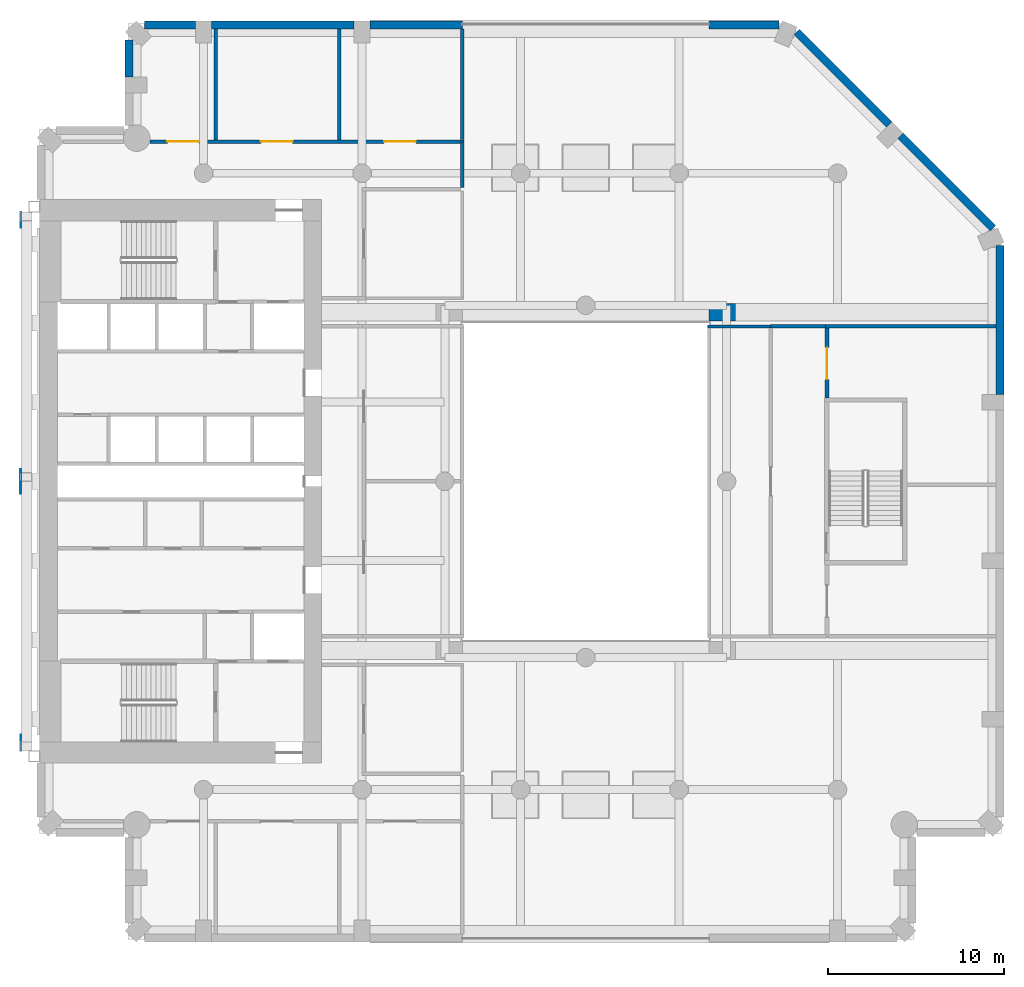
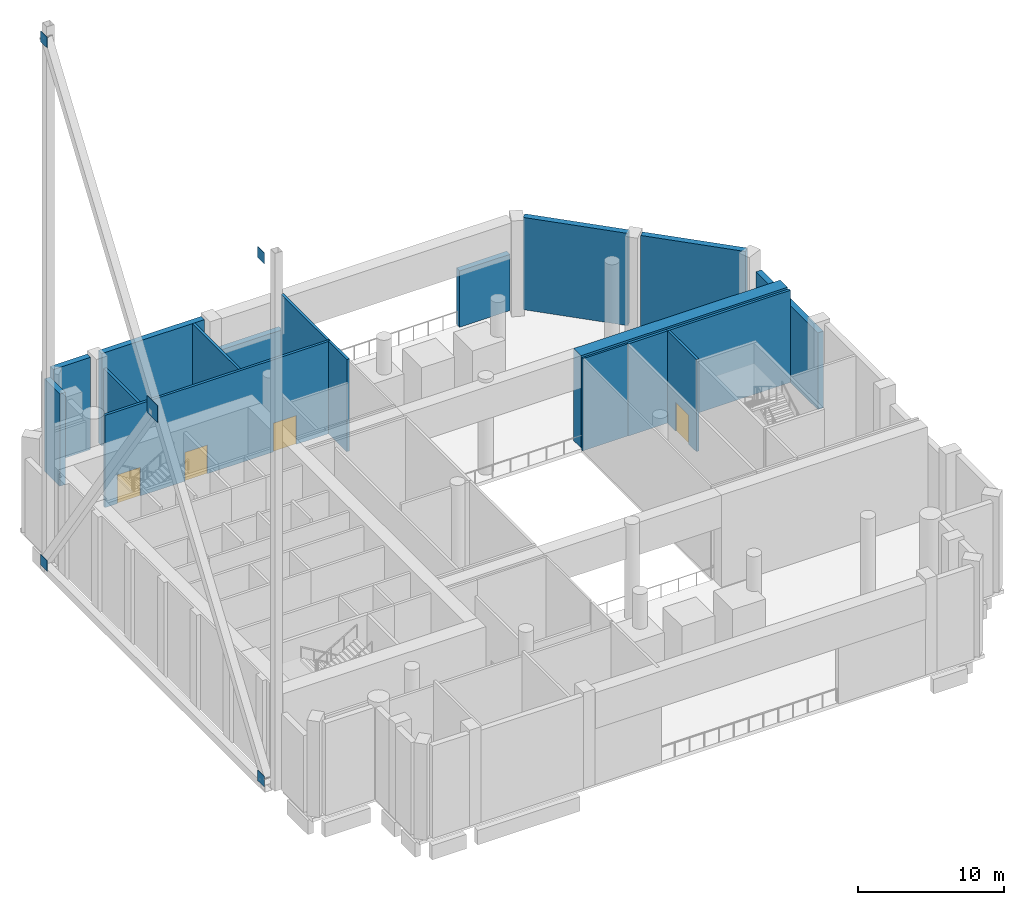
# One storey, part 5 of 14: 18 walls, 5 discrete accessories, 4 doors, 4 openings.
"""IFC4 building model written with IfcOpenShell, lengths in metres."""

import ifcopenshell
import ifcopenshell.guid

model = None  # the IFC model being written
_history = None  # IfcOwnerHistory: only IFC2X3 demands one
_inside = {}  # id of a spatial element -> (the spatial element, [elements in it])
_under = {}  # id of a project, library or spatial element -> (it, [spatial elements below it])
_declared = {}  # id of a project -> (the project, [libraries it declares])
_typed = {}  # id of a type object -> (the type object, [elements of that type])
_made_of = {}  # id of a material, layer set ... -> (it, [elements and type objects made of it])


def new_model(schema):
    """Start an empty IFC model of exactly this schema.

    Asked for "IFC4X3", IfcOpenShell would pick the latest addendum, in which some entities
    have other attributes; the version numbers below select the first issue.
    IFC2X3 requires an IfcOwnerHistory on every rooted entity: one is made here for all.
    """
    global model, _history
    if schema == "IFC4X3":
        model = ifcopenshell.file(schema_version=(4, 3, 0, 0))
    else:
        model = ifcopenshell.file(schema=schema)
    _inside.clear()
    _under.clear()
    _declared.clear()
    _typed.clear()
    _made_of.clear()
    _history = None
    if model.schema == "IFC2X3":
        org = make("IfcOrganization", Name="unknown")
        user = make(
            "IfcPersonAndOrganization",
            ThePerson=make("IfcPerson", FamilyName="unknown"),
            TheOrganization=org,
        )
        app = make(
            "IfcApplication",
            ApplicationDeveloper=org,
            Version="unknown",
            ApplicationFullName="unknown",
            ApplicationIdentifier="unknown",
        )
        _history = make(
            "IfcOwnerHistory",
            OwningUser=user,
            OwningApplication=app,
            ChangeAction="ADDED",
            CreationDate=0,
        )
    return model


def make(cls, **values):
    """One entity of the class cls with the attributes given. An attribute that is None is left unset."""
    return model.create_entity(
        cls, **{name: value for name, value in values.items() if value is not None}
    )


def rooted(cls, **values):
    """An entity with a GlobalId (a new one), such as an element, a storey or a relation."""
    return make(cls, GlobalId=ifcopenshell.guid.new(), OwnerHistory=_history, **values)


def si_unit(unit_type, name, prefix=None):
    """IfcSIUnit, for example si_unit("LENGTHUNIT", "METRE", prefix="MILLI")."""
    return make("IfcSIUnit", UnitType=unit_type, Prefix=prefix, Name=name)


def assignment(units):
    """IfcUnitAssignment: the units of a project."""
    return None if units is None else make("IfcUnitAssignment", Units=units)


def point(xyz):
    """IfcCartesianPoint."""
    return None if xyz is None else make("IfcCartesianPoint", Coordinates=xyz)


def direction(xyz):
    """IfcDirection."""
    return None if xyz is None else make("IfcDirection", DirectionRatios=xyz)


def frame(location, z_axis=None, x_axis=None):
    """IfcAxis2Placement3D, a coordinate frame: its origin and axes. An axis left out is left unset."""
    return make(
        "IfcAxis2Placement3D",
        Location=point(location),
        Axis=direction(z_axis),
        RefDirection=direction(x_axis),
    )


def frame_2d(location, x_axis=None):
    """IfcAxis2Placement2D, a coordinate frame in the plane: its origin and x axis."""
    return make(
        "IfcAxis2Placement2D", Location=point(location), RefDirection=direction(x_axis)
    )


def origin():
    """The frame at (0, 0, 0) with its axes left unset."""
    return frame((0.0, 0.0, 0.0))


def origin_2d():
    """The frame at (0, 0) in the plane with its x axis left unset."""
    return frame_2d((0.0, 0.0))


def place(relative_to, where):
    """IfcLocalPlacement: puts the frame where relative to a parent placement (None: the world)."""
    return make(
        "IfcLocalPlacement", PlacementRelTo=relative_to, RelativePlacement=where
    )


def context(
    kind, dimensions, precision=None, world=None, true_north=None, identifier=None
):
    """IfcGeometricRepresentationContext, for example the 3D "Model" context."""
    return make(
        "IfcGeometricRepresentationContext",
        ContextIdentifier=identifier,
        ContextType=kind,
        CoordinateSpaceDimension=dimensions,
        Precision=precision,
        WorldCoordinateSystem=world,
        TrueNorth=true_north,
    )


def subcontext(parent, identifier, kind, view, scale=None):
    """IfcGeometricRepresentationSubContext, for example "Body" below "Model"."""
    return make(
        "IfcGeometricRepresentationSubContext",
        ContextIdentifier=identifier,
        ContextType=kind,
        ParentContext=parent,
        TargetScale=scale,
        TargetView=view,
    )


def project(units=None, contexts=None):
    """IfcProject with its units and contexts."""
    return rooted(
        "IfcProject",
        Name="project",
        RepresentationContexts=contexts,
        UnitsInContext=assignment(units),
    )


def spatial(cls, under=None, at=None, **own):
    """A site, building, storey or space (cls), placed at a placement, below another one or the project."""
    s = rooted(cls, ObjectPlacement=at, **own)
    if under is not None:
        _under.setdefault(under.id(), (under, []))[1].append(s)
    return s


def profile(cls, at=None, kind="AREA", **sizes):
    """A parametric profile (cls). Its sizes go by their IFC names, for example OverallWidth=200.0."""
    return make(cls, ProfileType=kind, Position=at, **sizes)


def rectangle(**sizes):
    """IfcRectangleProfileDef."""
    return profile("IfcRectangleProfileDef", **sizes)


def extrude(swept, where, along, depth):
    """IfcExtrudedAreaSolid: the profile swept, set in the frame where, extruded along a direction by depth."""
    return make(
        "IfcExtrudedAreaSolid",
        SweptArea=swept,
        Position=where,
        ExtrudedDirection=direction(along),
        Depth=depth,
    )


def shape(context_of_items, identifier, shape_type, items):
    """IfcShapeRepresentation: the items that make up one representation, for example the "Body"."""
    return make(
        "IfcShapeRepresentation",
        ContextOfItems=context_of_items,
        RepresentationIdentifier=identifier,
        RepresentationType=shape_type,
        Items=items,
    )


def material(Name=None, Category=None):
    """IfcMaterial."""
    return make("IfcMaterial", Name=Name, Category=Category)


def layer(
    of_material, thickness, ventilated=None, Name=None, Category=None, Priority=None
):
    """IfcMaterialLayer: one layer of a wall or slab, of a material (None: an air gap)."""
    return make(
        "IfcMaterialLayer",
        Material=of_material,
        LayerThickness=thickness,
        IsVentilated=ventilated,
        Name=Name,
        Category=Category,
        Priority=Priority,
    )


def layer_set(layers, Name=None):
    """IfcMaterialLayerSet."""
    return make("IfcMaterialLayerSet", MaterialLayers=layers, LayerSetName=Name)


def material_profile(
    of_material, cross_section, Name=None, Category=None, Priority=None
):
    """IfcMaterialProfile: a cross section and its material."""
    return make(
        "IfcMaterialProfile",
        Name=Name,
        Material=of_material,
        Profile=cross_section,
        Priority=Priority,
        Category=Category,
    )


def profile_set(profiles, Name=None, composite=None):
    """IfcMaterialProfileSet."""
    return make(
        "IfcMaterialProfileSet",
        Name=Name,
        MaterialProfiles=profiles,
        CompositeProfile=composite,
    )


def made_of(thing, what):
    """Note that an element or type object is made of a material, layer set ...; save() writes the relation."""
    if what is not None:
        _made_of.setdefault(what.id(), (what, []))[1].append(thing)
    return thing


def type_object(cls, material=None, **own):
    """A type object (cls), such as IfcWallType, which elements share."""
    return made_of(rooted(cls, **own), material)


def element(
    cls,
    number,
    at=None,
    inside=None,
    cuts=None,
    type_object=None,
    material=None,
    context=None,
    identifier="Body",
    shape_type=None,
    held_by="IfcProductDefinitionShape",
    body=None,
    shapes=None,
    **own,
):
    """One element of the class cls, such as IfcWall. Its Tag is "e" and its number.

    at: its placement. inside: the storey or other place that contains it. cuts: it is an
    opening in that element (IfcRelVoidsElement). A single representation is given by context,
    identifier, shape_type and body (its items); several are given by shapes. held_by: the class
    of the entity that holds the representations. save() writes the other relations.
    """
    e = rooted(cls, Tag="e%d" % number, ObjectPlacement=at, **own)
    if body is not None:
        shapes = [shape(context, identifier, shape_type, body)]
    if shapes is not None:
        e.Representation = make(held_by, Representations=shapes)
    if inside is not None:
        _inside.setdefault(inside.id(), (inside, []))[1].append(e)
    if cuts is not None:
        rooted(
            "IfcRelVoidsElement", RelatingBuildingElement=cuts, RelatedOpeningElement=e
        )
    if type_object is not None:
        _typed.setdefault(type_object.id(), (type_object, []))[1].append(e)
    return made_of(e, material)


def fill(opening, filler):
    """IfcRelFillsElement: the door or window that sits in an opening."""
    return rooted(
        "IfcRelFillsElement",
        RelatingOpeningElement=opening,
        RelatedBuildingElement=filler,
    )


def aggregate(whole, parts):
    """IfcRelAggregates: a whole, such as a stair, and the parts it consists of."""
    return rooted("IfcRelAggregates", RelatingObject=whole, RelatedObjects=parts)


def save(model, path):
    """Write the relations noted so far, then the file.

    IfcRelAggregates (storeys below a building ...), IfcRelContainedInSpatialStructure (elements
    in a storey), IfcRelDefinesByType, IfcRelAssociatesMaterial and IfcRelDeclares: one each for
    every whole, place, type object, material and project.
    """
    for whole, parts in _under.values():
        aggregate(whole, parts)
    for where, things in _inside.values():
        rooted(
            "IfcRelContainedInSpatialStructure",
            RelatedElements=things,
            RelatingStructure=where,
        )
    for kind, things in _typed.values():
        rooted("IfcRelDefinesByType", RelatedObjects=things, RelatingType=kind)
    for what, things in _made_of.values():
        rooted("IfcRelAssociatesMaterial", RelatedObjects=things, RelatingMaterial=what)
    for by, libraries in _declared.values():
        rooted("IfcRelDeclares", RelatingContext=by, RelatedDefinitions=libraries)
    model.write(path)


model = new_model("IFC4")

# Units and contexts
model_context = context("Model", 3, precision=1e-05, world=origin(), true_north=direction((0.0, 1.0)))
body_context = subcontext(model_context, "Body", "Model", "MODEL_VIEW")
ifc_project = project(units=[si_unit("LENGTHUNIT", "METRE"), si_unit("AREAUNIT", "SQUARE_METRE"), si_unit("VOLUMEUNIT", "CUBIC_METRE"), si_unit("PLANEANGLEUNIT", "RADIAN"), si_unit("MASSUNIT", "GRAM", prefix="KILO")], contexts=[model_context])

# Site, building, storey
site_placement = place(None, origin())
site = spatial("IfcSite", under=ifc_project, at=site_placement, CompositionType="ELEMENT")
building_placement = place(site_placement, origin())
building = spatial("IfcBuilding", under=site, at=building_placement, Name="Cypress Arch Tower", CompositionType="ELEMENT")
storey_placement = place(building_placement, frame((0.0, 0.0, 152.5)))
storey = spatial("IfcBuildingStorey", under=building, at=storey_placement, Name="L33", CompositionType="ELEMENT", Elevation=152.5)

# Walls
ifc_material_1 = material(Name="Brick (red buff blend)", Category="masonry")
ifc_layer_1 = layer(ifc_material_1, 0.449951171875)
ifc_layer_set_1 = layer_set([ifc_layer_1], Name="Brick belt wall BW450-B")
wall_type_1 = type_object("IfcWallType", Name="Brick belt wall BW450-B", PredefinedType="SOLIDWALL", material=ifc_layer_set_1)
wall_1_placement = place(storey_placement, frame((24.52490234375, 4.949951171875, 0.0), z_axis=(0.0, 0.0, 1.0), x_axis=(0.0, 1.0, 0.0)))
element("IfcWall", 1, at=wall_1_placement, inside=storey, type_object=wall_type_1, Name="Brick wall L33 A06.3", PredefinedType="SOLIDWALL", context=body_context, shape_type="SweptSolid", body=[
    extrude(rectangle(XDim=8.438720703125, YDim=0.449951171875, at=frame_2d((4.21923828125, 0.0))), origin(), (0.0, 0.0, 1.0), 6.39990234375),
])
for number, where, z_axis, x_axis, name in (
    (2, (24.11474609375, 14.379150390625, 0.0), (0.0, 0.0, 1.0), (-0.707106781187, 0.707106781187, 0.0), "Brick wall L33 A07.0"),
    (3, (18.228759765625, 20.26513671875, 0.0), (0.0, 0.0, 1.0), (-0.707106781187, 0.707106781187, 0.0), "Brick wall L33 A07.1"),
):
    element("IfcWall", number, at=place(storey_placement, frame(where, z_axis=z_axis, x_axis=x_axis)), inside=storey, type_object=wall_type_1, Name=name, PredefinedType="SOLIDWALL", context=body_context, shape_type="SweptSolid", body=[
        extrude(rectangle(XDim=7.423828125, YDim=0.449951171875, at=frame_2d((3.7119140625, 0.0))), origin(), (0.0, 0.0, 1.0), 7.699951171875),
    ])
wall_2_placement = place(storey_placement, frame((11.98876953125, 25.925048828125, 0.0), z_axis=(0.0, 0.0, 1.0), x_axis=(-1.0, 0.0, 0.0)))
element("IfcWall", 4, at=wall_2_placement, inside=storey, type_object=wall_type_1, Name="Brick wall L33 A08.0", PredefinedType="SOLIDWALL", context=body_context, shape_type="SweptSolid", body=[
    extrude(rectangle(XDim=3.98876953125, YDim=0.449951171875, at=frame_2d((1.994384765625, 0.0))), origin(), (0.0, 0.0, 1.0), 4.699951171875),
])
wall_3_placement = place(storey_placement, frame((-6.0, 25.925048828125, 0.0), z_axis=(0.0, 0.0, 1.0), x_axis=(-1.0, 0.0, 0.0)))
element("IfcWall", 5, at=wall_3_placement, inside=storey, type_object=wall_type_1, Name="Brick wall L33 A08.2", PredefinedType="SOLIDWALL", context=body_context, shape_type="SweptSolid", body=[
    extrude(rectangle(XDim=5.25, YDim=0.449951171875, at=frame_2d((2.625, 0.0))), origin(), (0.0, 0.0, 1.0), 4.699951171875),
])
wall_4_placement = place(storey_placement, frame((-12.14990234375, 25.925048828125, 0.0), z_axis=(0.0, 0.0, 1.0), x_axis=(-1.0, 0.0, 0.0)))
element("IfcWall", 6, at=wall_4_placement, inside=storey, type_object=wall_type_1, Name="Brick wall L33 A08.3", PredefinedType="SOLIDWALL", context=body_context, shape_type="SweptSolid", body=[
    extrude(rectangle(XDim=8.10009765625, YDim=0.449951171875, at=frame_2d((4.050048828125, 0.0))), origin(), (0.0, 0.0, 1.0), 7.699951171875),
])
wall_5_placement = place(storey_placement, frame((-21.14990234375, 25.925048828125, 0.0), z_axis=(0.0, 0.0, 1.0), x_axis=(-1.0, 0.0, 0.0)))
element("IfcWall", 7, at=wall_5_placement, inside=storey, type_object=wall_type_1, Name="Brick wall L33 A08.4", PredefinedType="SOLIDWALL", context=body_context, shape_type="SweptSolid", body=[
    extrude(rectangle(XDim=2.913818359375, YDim=0.449951171875, at=frame_2d((1.45703125, 0.0))), origin(), (0.0, 0.0, 1.0), 7.699951171875),
])
wall_6_placement = place(storey_placement, frame((-24.925048828125, 25.063720703125, 0.0), z_axis=(0.0, 0.0, 1.0), x_axis=(0.0, -1.0, 0.0)))
element("IfcWall", 8, at=wall_6_placement, inside=storey, type_object=wall_type_1, Name="Brick wall L33 A09.0", PredefinedType="SOLIDWALL", context=body_context, shape_type="SweptSolid", body=[
    extrude(rectangle(XDim=2.11376953125, YDim=0.449951171875, at=frame_2d((1.056884765625, 0.0))), origin(), (0.0, 0.0, 1.0), 7.699951171875),
])
ifc_material_2 = material(Name="Concrete blockwork, plastered, rated", Category="masonry")
ifc_layer_2 = layer(ifc_material_2, 0.199951171875)
ifc_layer_set_2 = layer_set([ifc_layer_2], Name="Corridor wall FW200")
wall_type_2 = type_object("IfcWallType", Name="Corridor wall FW200", PredefinedType="PARTITIONING", material=ifc_layer_set_2)
wall_7_placement = place(storey_placement, frame((-6.0, 16.699951171875, 0.0), z_axis=(0.0, 0.0, 1.0), x_axis=(0.0, 1.0, 0.0)))
element("IfcWall", 9, at=wall_7_placement, inside=storey, type_object=wall_type_2, Name="Corridor wall", PredefinedType="PARTITIONING", context=body_context, shape_type="SweptSolid", body=[
    extrude(rectangle(XDim=2.580078125, YDim=0.199951171875, at=frame_2d((1.2900390625, 0.0))), origin(), (0.0, 0.0, 1.0), 7.699951171875),
])
wall_8_placement = place(storey_placement, frame((11.5, 8.800048828125, 0.0), z_axis=(0.0, 0.0, 1.0), x_axis=(1.0, 0.0, 0.0)))
element("IfcWall", 10, at=wall_8_placement, inside=storey, type_object=wall_type_2, Name="Corridor wall", PredefinedType="PARTITIONING", context=body_context, shape_type="SweptSolid", body=[
    extrude(rectangle(XDim=3.1201171875, YDim=0.199951171875, at=frame_2d((1.56005859375, 0.0))), origin(), (0.0, 0.0, 1.0), 7.699951171875),
])
ifc_material_3 = material(Name="Concrete C80/95", Category="concrete")
ifc_layer_3 = layer(ifc_material_3, 1.0)
ifc_layer_set_3 = layer_set([ifc_layer_3], Name="Outrigger wall 1000 Concrete C80/95")
wall_type_3 = type_object("IfcWallType", Name="Outrigger wall 1000 Concrete C80/95", PredefinedType="SOLIDWALL", material=ifc_layer_set_3)
wall_9_placement = place(storey_placement, frame((8.0, 9.60009765625, 0.0), z_axis=(0.0, 0.0, 1.0), x_axis=(1.0, 0.0, 0.0)))
element("IfcWall", 11, at=wall_9_placement, inside=storey, type_object=wall_type_3, Name="Outrigger wall L33 NE", PredefinedType="SOLIDWALL", context=body_context, shape_type="SweptSolid", body=[
    extrude(rectangle(XDim=16.300048828125, YDim=1.0, at=frame_2d((8.14990234375, 0.0))), origin(), (0.0, 0.0, 1.0), 7.699951171875),
])
ifc_material_4 = material(Name="Blockwork, plastered both sides", Category="masonry")
ifc_layer_4 = layer(ifc_material_4, 0.14990234375)
ifc_layer_set_4 = layer_set([ifc_layer_4], Name="Partition PW150")
wall_type_4 = type_object("IfcWallType", Name="Partition PW150", PredefinedType="PARTITIONING", material=ifc_layer_set_4)
wall_10_placement = place(storey_placement, frame((7.925048828125, 8.800048828125, 0.0), z_axis=(0.0, 0.0, 1.0), x_axis=(1.0, 0.0, 0.0)))
element("IfcWall", 12, at=wall_10_placement, inside=storey, type_object=wall_type_4, Name="Partition", PredefinedType="PARTITIONING", context=body_context, shape_type="SweptSolid", body=[
    extrude(rectangle(XDim=3.554931640625, YDim=0.14990234375, at=frame_2d((1.77734375, 0.0))), origin(), (0.0, 0.0, 1.0), 7.699951171875),
])

# Wall, openings, doors
ifc_material_5 = material(Name="Reinforced blockwork, plastered, rated", Category="masonry")
ifc_layer_5 = layer(ifc_material_5, 0.199951171875)
ifc_layer_set_5 = layer_set([ifc_layer_5], Name="Plant and riser wall PL200")
wall_type_5 = type_object("IfcWallType", Name="Plant and riser wall PL200", PredefinedType="PARTITIONING", material=ifc_layer_set_5)
wall_11_placement = place(storey_placement, frame((-23.744873046875, 19.300048828125, 0.0), z_axis=(0.0, 0.0, 1.0), x_axis=(1.0, 0.0, 0.0)))
wall_11 = element("IfcWall", 13, at=wall_11_placement, inside=storey, type_object=wall_type_5, Name="Plant and riser wall", PredefinedType="PARTITIONING", context=body_context, shape_type="SweptSolid", body=[
    extrude(rectangle(XDim=17.8447265625, YDim=0.199951171875, at=frame_2d((8.92236328125, 0.0))), origin(), (0.0, 0.0, 1.0), 7.699951171875),
])
opening_1_placement = place(wall_11_placement, frame((1.0, 0.0, 0.0)))
opening_1 = element("IfcOpeningElement", 14, at=opening_1_placement, cuts=wall_11, Name="Opening D09", PredefinedType="OPENING", context=body_context, shape_type="SweptSolid", body=[
    extrude(rectangle(XDim=1.800048828125, YDim=2.39990234375, at=frame_2d((0.89990234375, 1.199951171875))), frame((0.0, 0.10986328125, 0.0), z_axis=(0.0, -1.0, 0.0), x_axis=(1.0, 0.0, 0.0)), (0.0, 0.0, 1.0), 0.219970703125),
])
opening_2_placement = place(wall_11_placement, frame((6.300048828125, 0.0, 0.0)))
opening_2 = element("IfcOpeningElement", 15, at=opening_2_placement, cuts=wall_11, Name="Opening D09", PredefinedType="OPENING", context=body_context, shape_type="SweptSolid", body=[
    extrude(rectangle(XDim=1.800048828125, YDim=2.39990234375, at=frame_2d((0.89990234375, 1.199951171875))), frame((0.0, 0.10986328125, 0.0), z_axis=(0.0, -1.0, 0.0), x_axis=(1.0, 0.0, 0.0)), (0.0, 0.0, 1.0), 0.219970703125),
])
opening_3_placement = place(wall_11_placement, frame((13.300048828125, 0.0, 0.0)))
opening_3 = element("IfcOpeningElement", 16, at=opening_3_placement, cuts=wall_11, Name="Opening D09", PredefinedType="OPENING", context=body_context, shape_type="SweptSolid", body=[
    extrude(rectangle(XDim=1.800048828125, YDim=2.39990234375, at=frame_2d((0.89990234375, 1.199951171875))), frame((0.0, 0.10986328125, 0.0), z_axis=(0.0, -1.0, 0.0), x_axis=(1.0, 0.0, 0.0)), (0.0, 0.0, 1.0), 0.219970703125),
])
ifc_material_6 = material(Name="Steel door, fire resisting", Category="steel")
door_type = type_object("IfcDoorType", Name="Plant room door D09 1800x2400", OperationType="DOUBLE_DOOR_SINGLE_SWING", PredefinedType="DOOR", material=ifc_material_6)
door_1_placement = place(opening_1_placement, origin())
door_1 = element("IfcDoor", 17, at=door_1_placement, inside=storey, type_object=door_type, Name="Plant room door", OperationType="DOUBLE_DOOR_SINGLE_SWING", OverallHeight=2.39990234375, OverallWidth=1.800048828125, PredefinedType="DOOR", context=body_context, shape_type="SweptSolid", body=[
    extrude(rectangle(XDim=1.800048828125, YDim=2.39990234375, at=frame_2d((0.89990234375, 1.199951171875))), frame((0.0, 0.02490234375, 0.0), z_axis=(0.0, -1.0, 0.0), x_axis=(1.0, 0.0, 0.0)), (0.0, 0.0, 1.0), 0.050048828125),
])
fill(opening_1, door_1)
door_2_placement = place(opening_2_placement, origin())
door_2 = element("IfcDoor", 18, at=door_2_placement, inside=storey, type_object=door_type, Name="Plant room door", OperationType="DOUBLE_DOOR_SINGLE_SWING", OverallHeight=2.39990234375, OverallWidth=1.800048828125, PredefinedType="DOOR", context=body_context, shape_type="SweptSolid", body=[
    extrude(rectangle(XDim=1.800048828125, YDim=2.39990234375, at=frame_2d((0.89990234375, 1.199951171875))), frame((0.0, 0.02490234375, 0.0), z_axis=(0.0, -1.0, 0.0), x_axis=(1.0, 0.0, 0.0)), (0.0, 0.0, 1.0), 0.050048828125),
])
fill(opening_2, door_2)
door_3_placement = place(opening_3_placement, origin())
door_3 = element("IfcDoor", 19, at=door_3_placement, inside=storey, type_object=door_type, Name="Plant room door", OperationType="DOUBLE_DOOR_SINGLE_SWING", OverallHeight=2.39990234375, OverallWidth=1.800048828125, PredefinedType="DOOR", context=body_context, shape_type="SweptSolid", body=[
    extrude(rectangle(XDim=1.800048828125, YDim=2.39990234375, at=frame_2d((0.89990234375, 1.199951171875))), frame((0.0, 0.02490234375, 0.0), z_axis=(0.0, -1.0, 0.0), x_axis=(1.0, 0.0, 0.0)), (0.0, 0.0, 1.0), 0.050048828125),
])
fill(opening_3, door_3)

# Walls
wall_12_placement = place(storey_placement, frame((-20.0, 19.39990234375, 0.0), z_axis=(0.0, 0.0, 1.0), x_axis=(0.0, 1.0, 0.0)))
element("IfcWall", 20, at=wall_12_placement, inside=storey, type_object=wall_type_5, Name="Plant and riser wall", PredefinedType="PARTITIONING", context=body_context, shape_type="SweptSolid", body=[
    extrude(rectangle(XDim=6.300048828125, YDim=0.199951171875, at=frame_2d((3.14990234375, 0.0))), origin(), (0.0, 0.0, 1.0), 6.39990234375),
])
wall_13_placement = place(storey_placement, frame((-13.0, 19.39990234375, 0.0), z_axis=(0.0, 0.0, 1.0), x_axis=(0.0, 1.0, 0.0)))
element("IfcWall", 21, at=wall_13_placement, inside=storey, type_object=wall_type_5, Name="Plant and riser wall", PredefinedType="PARTITIONING", context=body_context, shape_type="SweptSolid", body=[
    extrude(rectangle(XDim=6.300048828125, YDim=0.199951171875, at=frame_2d((3.14990234375, 0.0))), origin(), (0.0, 0.0, 1.0), 7.699951171875),
])
wall_14_placement = place(storey_placement, frame((-6.0, 19.419921875, 0.0), z_axis=(0.0, 0.0, 1.0), x_axis=(0.0, 1.0, 0.0)))
element("IfcWall", 22, at=wall_14_placement, inside=storey, type_object=wall_type_5, Name="Plant and riser wall", PredefinedType="PARTITIONING", context=body_context, shape_type="SweptSolid", body=[
    extrude(rectangle(XDim=6.280029296875, YDim=0.199951171875, at=frame_2d((3.14013671875, 0.0))), origin(), (0.0, 0.0, 1.0), 7.699951171875),
])

# Wall, opening, door
wall_15_placement = place(storey_placement, frame((14.699951171875, 4.75, 0.0), z_axis=(0.0, 0.0, 1.0), x_axis=(0.0, 1.0, 0.0)))
wall_15 = element("IfcWall", 23, at=wall_15_placement, inside=storey, type_object=wall_type_5, Name="Plant and riser wall", PredefinedType="PARTITIONING", context=body_context, shape_type="SweptSolid", body=[
    extrude(rectangle(XDim=3.949951171875, YDim=0.199951171875, at=frame_2d((1.97509765625, 0.0))), origin(), (0.0, 0.0, 1.0), 7.699951171875),
])
opening_4_placement = place(wall_15_placement, frame((1.050048828125, 0.0, 0.0)))
opening_4 = element("IfcOpeningElement", 24, at=opening_4_placement, cuts=wall_15, Name="Opening D09", PredefinedType="OPENING", context=body_context, shape_type="SweptSolid", body=[
    extrude(rectangle(XDim=1.800048828125, YDim=2.39990234375, at=frame_2d((0.89990234375, 1.199951171875))), frame((0.0, 0.10986328125, 0.0), z_axis=(0.0, -1.0, 0.0), x_axis=(1.0, 0.0, 0.0)), (0.0, 0.0, 1.0), 0.219970703125),
])
door_4_placement = place(opening_4_placement, origin())
door_4 = element("IfcDoor", 25, at=door_4_placement, inside=storey, type_object=door_type, Name="Plant room door", OperationType="DOUBLE_DOOR_SINGLE_SWING", OverallHeight=2.39990234375, OverallWidth=1.800048828125, PredefinedType="DOOR", context=body_context, shape_type="SweptSolid", body=[
    extrude(rectangle(XDim=1.800048828125, YDim=2.39990234375, at=frame_2d((0.89990234375, 1.199951171875))), frame((0.0, 0.02490234375, 0.0), z_axis=(0.0, -1.0, 0.0), x_axis=(1.0, 0.0, 0.0)), (0.0, 0.0, 1.0), 0.050048828125),
])
fill(opening_4, door_4)

# Wall
wall_16_placement = place(storey_placement, frame((14.6201171875, 8.800048828125, 0.0), z_axis=(0.0, 0.0, 1.0), x_axis=(1.0, 0.0, 0.0)))
element("IfcWall", 26, at=wall_16_placement, inside=storey, type_object=wall_type_5, Name="Plant and riser wall", PredefinedType="PARTITIONING", context=body_context, shape_type="SweptSolid", body=[
    extrude(rectangle(XDim=9.679931640625, YDim=0.199951171875, at=frame_2d((4.83984375, 0.0))), origin(), (0.0, 0.0, 1.0), 7.699951171875),
])

# Discrete accessories
ifc_material_7 = material(Name="Steel ASTM A992", Category="steel")
ifc_material_profile_1 = material_profile(ifc_material_7, rectangle(XDim=0.89990234375, YDim=0.89990234375, at=origin_2d()), Name="PL 30 900x900")
ifc_profile_set_1 = profile_set([ifc_material_profile_1], Name="Steel ASTM A992")
discrete_accessory_type_1 = type_object("IfcDiscreteAccessoryType", Name="Gusset plate 900x900x30 Steel ASTM A992", PredefinedType="ANCHORPLATE", material=ifc_profile_set_1)
for number, where, z_axis, x_axis, name in (
    (27, (-31.0595703125, -14.84326171875, 0.604736328125), (-1.0, 0.0, 0.0), (0.0, -1.0, 0.0), "Gusset plate west bracing 3SB"),
    (28, (-31.0595703125, -14.84326171875, 44.295166015625), (-1.0, 0.0, 0.0), (0.0, -1.0, 0.0), "Gusset plate west bracing 3ST"),
    (29, (-31.0595703125, 14.84326171875, 0.604736328125), (-1.0, 0.0, 0.0), (0.0, -1.0, 0.0), "Gusset plate west bracing 3NB"),
    (30, (-31.0595703125, 14.84326171875, 44.295166015625), (-1.0, 0.0, 0.0), (0.0, -1.0, 0.0), "Gusset plate west bracing 3NT"),
):
    element("IfcDiscreteAccessory", number, at=place(storey_placement, frame(where, z_axis=z_axis, x_axis=x_axis)), inside=storey, type_object=discrete_accessory_type_1, Name=name, PredefinedType="ANCHORPLATE", context=body_context, shape_type="SweptSolid", body=[
        extrude(rectangle(XDim=0.89990234375, YDim=0.89990234375, at=origin_2d()), origin(), (0.0, 0.0, 1.0), 0.030029296875),
    ])
ifc_material_8 = material(Name="Steel ASTM A992", Category="steel")
ifc_material_profile_2 = material_profile(ifc_material_8, rectangle(XDim=1.39990234375, YDim=1.39990234375, at=origin_2d()), Name="PL 40 1400x1400")
ifc_profile_set_2 = profile_set([ifc_material_profile_2], Name="Steel ASTM A992")
discrete_accessory_type_2 = type_object("IfcDiscreteAccessoryType", Name="Node plate 1400x1400x40 Steel ASTM A992", PredefinedType="ANCHORPLATE", material=ifc_profile_set_2)
discrete_accessory_placement = place(storey_placement, frame((-31.0595703125, 0.0, 22.449951171875), z_axis=(-1.0, 0.0, 0.0), x_axis=(0.0, -1.0, 0.0)))
element("IfcDiscreteAccessory", 31, at=discrete_accessory_placement, inside=storey, type_object=discrete_accessory_type_2, Name="Node plate west bracing 3", PredefinedType="ANCHORPLATE", context=body_context, shape_type="SweptSolid", body=[
    extrude(rectangle(XDim=1.39990234375, YDim=1.39990234375, at=origin_2d()), origin(), (0.0, 0.0, 1.0), 0.0400390625),
])

save(model, "model.ifc")
